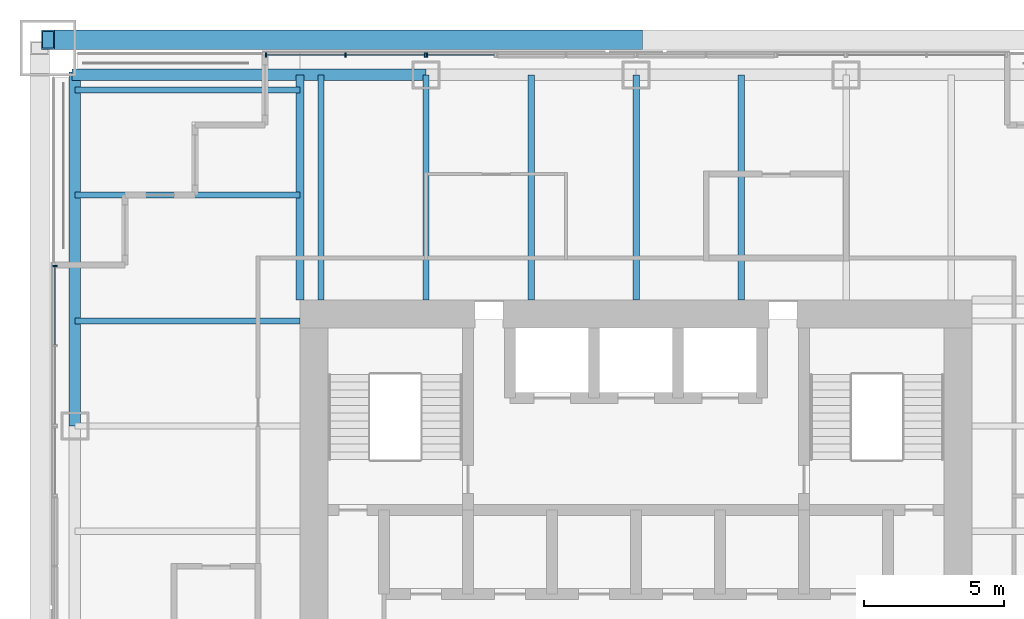
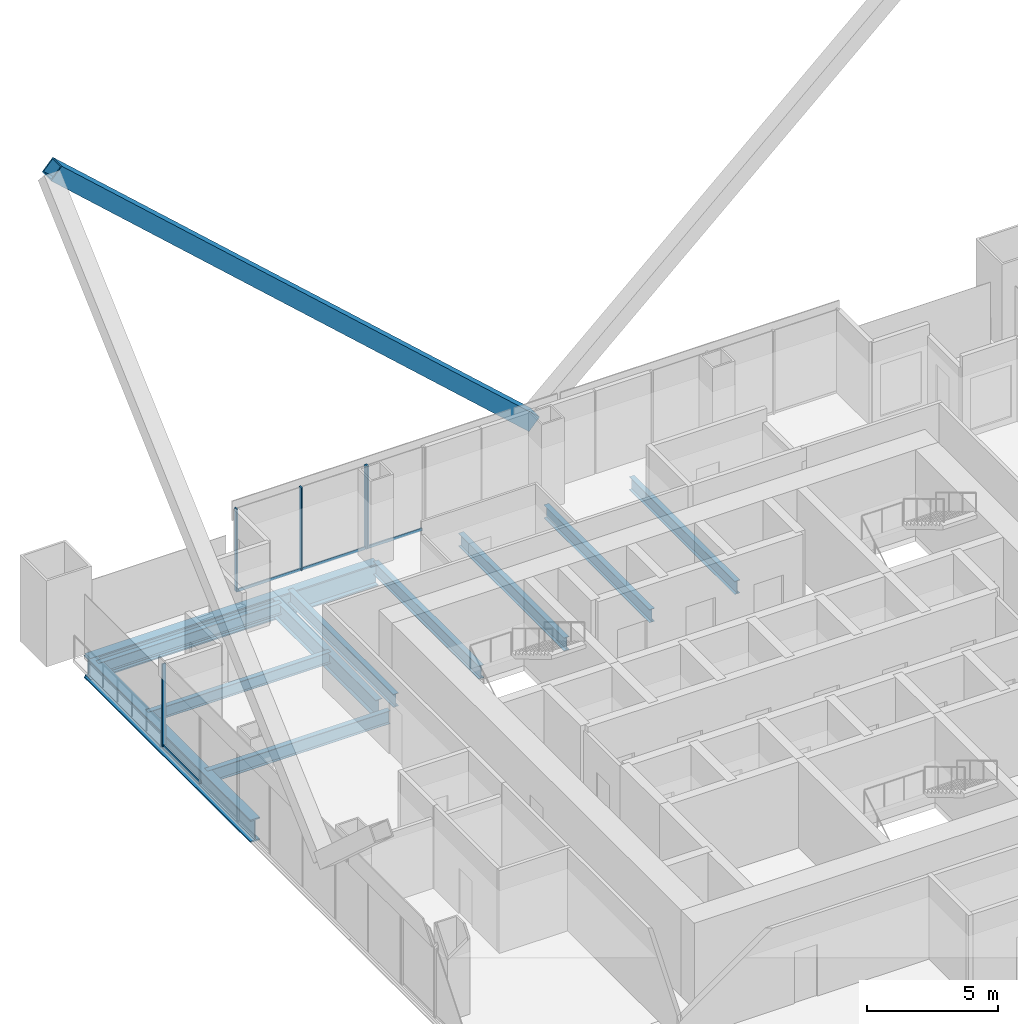
# One storey, part 10 of 19: 11 beams, 10 members, 3 elements without a shape of their own.
"""IFC4 building model written with IfcOpenShell, lengths in metres."""

from ifc_helpers import new_model, si_unit, direction, frame, origin, origin_2d, place, context, subcontext, project, spatial, rectangle, hollow_rectangle, i_section, extrude, material, material_profile, profile_set, type_object, element, aggregate, save


model = new_model("IFC4")

# Units and contexts
model_context = context("Model", 3, precision=1e-05, world=origin(), true_north=direction((0.0, 1.0)))
body_context = subcontext(model_context, "Body", "Model", "MODEL_VIEW")
ifc_project = project(units=[si_unit("LENGTHUNIT", "METRE"), si_unit("AREAUNIT", "SQUARE_METRE"), si_unit("VOLUMEUNIT", "CUBIC_METRE"), si_unit("PLANEANGLEUNIT", "RADIAN"), si_unit("MASSUNIT", "GRAM", prefix="KILO")], contexts=[model_context])

# Site, building, storey
site_placement = place(None, origin())
site = spatial("IfcSite", under=ifc_project, at=site_placement, CompositionType="ELEMENT")
building_placement = place(site_placement, origin())
building = spatial("IfcBuilding", under=site, at=building_placement, Name="Tarangal Relay Tower", CompositionType="ELEMENT")
storey_placement = place(building_placement, frame((0.0, 0.0, 275.89990234375)))
storey = spatial("IfcBuildingStorey", under=building, at=storey_placement, Name="L60", CompositionType="ELEMENT", Elevation=275.89990234375)

# Beams
ifc_material_1 = material(Name="Steel ASTM A992", Category="steel")
ifc_material_profile_1 = material_profile(ifc_material_1, i_section(OverallWidth=0.209228515625, OverallDepth=0.533447265625, WebThickness=0.01025390625, FlangeThickness=0.015625, at=origin_2d()), Name="W21X62")
ifc_profile_set_1 = profile_set([ifc_material_profile_1], Name="Steel ASTM A992")
beam_type_1 = type_object("IfcBeamType", Name="Corner beam W21X62", PredefinedType="JOIST", material=ifc_profile_set_1)
for number, where, z_axis, x_axis, name in (
    (1, (-12.0, 15.75, -0.41650390625), (-1.0, 0.0, 0.0), (0.0, -1.0, 0.0), "Corner beam CB12 W L60"),
    (2, (-12.0, 19.5, -0.41650390625), (-1.0, 0.0, 0.0), (0.0, -1.0, 0.0), "Corner beam CB12 W L60"),
):
    element("IfcBeam", number, at=place(storey_placement, frame(where, z_axis=z_axis, x_axis=x_axis)), inside=storey, type_object=beam_type_1, Name=name, PredefinedType="JOIST", context=body_context, shape_type="SweptSolid", body=[
        extrude(i_section(OverallWidth=0.209228515625, OverallDepth=0.533447265625, WebThickness=0.01025390625, FlangeThickness=0.015625, at=origin_2d()), origin(), (0.0, 0.0, 1.0), 8.0400390625),
    ])
ifc_material_profile_2 = material_profile(ifc_material_1, i_section(OverallWidth=0.2919921875, OverallDepth=0.8408203125, WebThickness=0.0146484375, FlangeThickness=0.021728515625, at=origin_2d()), Name="W33X130")
ifc_profile_set_2 = profile_set([ifc_material_profile_2], Name="Steel ASTM A992")
beam_type_2 = type_object("IfcBeamType", Name="Corner girder W33X130", PredefinedType="BEAM", material=ifc_profile_set_2)
beam_placement = place(storey_placement, frame((-12.0, 12.0, -0.5703125), z_axis=(0.0, 1.0, 0.0), x_axis=(-1.0, 0.0, 0.0)))
element("IfcBeam", 3, at=beam_placement, inside=storey, type_object=beam_type_2, Name="Corner girder CG5 W L60", PredefinedType="BEAM", context=body_context, shape_type="SweptSolid", body=[
    extrude(i_section(OverallWidth=0.2919921875, OverallDepth=0.8408203125, WebThickness=0.0146484375, FlangeThickness=0.021728515625, at=origin_2d()), origin(), (0.0, 0.0, 1.0), 8.0400390625),
])
ifc_material_profile_3 = material_profile(ifc_material_1, i_section(OverallWidth=0.41162109375, OverallDepth=1.049072265625, WebThickness=0.033935546875, FlangeThickness=0.059814453125, at=origin_2d()), Name="W40X431")
ifc_profile_set_3 = profile_set([ifc_material_profile_3], Name="Steel ASTM A992")
beam_type_3 = type_object("IfcBeamType", Name="Edge girder W40X431", PredefinedType="SPANDREL", material=ifc_profile_set_3)
for number, where, z_axis, x_axis, name in (
    (4, (-20.14990234375, 20.0400390625, -0.67431640625), (1.0, 0.0, 0.0), (0.0, 1.0, 0.0), "Edge girder EG1 N L60"),
    (5, (-20.0400390625, 7.5, -0.67431640625), (0.0, 1.0, 0.0), (-1.0, 0.0, 0.0), "Edge girder EG1 W L60"),
):
    element("IfcBeam", number, at=place(storey_placement, frame(where, z_axis=z_axis, x_axis=x_axis)), inside=storey, type_object=beam_type_3, Name=name, PredefinedType="SPANDREL", context=body_context, shape_type="SweptSolid", body=[
        extrude(i_section(OverallWidth=0.41162109375, OverallDepth=1.049072265625, WebThickness=0.033935546875, FlangeThickness=0.059814453125, at=origin_2d()), origin(), (0.0, 0.0, 1.0), 12.64990234375),
    ])
ifc_material_profile_4 = material_profile(ifc_material_1, i_section(OverallWidth=0.228271484375, OverallDepth=0.607177734375, WebThickness=0.01123046875, FlangeThickness=0.017333984375, at=origin_2d()), Name="W24X76")
ifc_profile_set_4 = profile_set([ifc_material_profile_4], Name="Steel ASTM A992")
beam_type_4 = type_object("IfcBeamType", Name="Floor beam W24X76", PredefinedType="BEAM", material=ifc_profile_set_4)
for number, where, z_axis, x_axis, name in (
    (6, (-11.25, 12.0, -0.453369140625), (0.0, 1.0, 0.0), (-1.0, 0.0, 0.0), "Floor beam RB5 N L60"),
    (7, (-7.5, 12.0, -0.453369140625), (0.0, 1.0, 0.0), (-1.0, 0.0, 0.0), "Floor beam RB5 N L60"),
    (8, (-3.75, 12.0, -0.453369140625), (0.0, 1.0, 0.0), (-1.0, 0.0, 0.0), "Floor beam RB5 N L60"),
    (9, (0.0, 12.0, -0.453369140625), (0.0, 1.0, 0.0), (-1.0, 0.0, 0.0), "Floor beam RB5 N L60"),
    (10, (3.75, 12.0, -0.453369140625), (0.0, 1.0, 0.0), (-1.0, 0.0, 0.0), "Floor beam RB5 N L60"),
    (11, (-12.0, 11.25, -0.453369140625), (-1.0, 0.0, 0.0), (0.0, -1.0, 0.0), "Floor beam RB5 W L60"),
):
    element("IfcBeam", number, at=place(storey_placement, frame(where, z_axis=z_axis, x_axis=x_axis)), inside=storey, type_object=beam_type_4, Name=name, PredefinedType="BEAM", context=body_context, shape_type="SweptSolid", body=[
        extrude(i_section(OverallWidth=0.228271484375, OverallDepth=0.607177734375, WebThickness=0.01123046875, FlangeThickness=0.017333984375, at=origin_2d()), origin(), (0.0, 0.0, 1.0), 8.0400390625),
    ])

# Member
ifc_material_2 = material(Name="Steel ASTM A572 Grade 50", Category="steel")
ifc_material_profile_5 = material_profile(ifc_material_2, hollow_rectangle(XDim=0.699951171875, YDim=0.699951171875, WallThickness=0.052001953125, at=origin_2d()), Name="BOX700X700X52")
ifc_profile_set_5 = profile_set([ifc_material_profile_5], Name="Steel ASTM A572 Grade 50")
member_type_1 = type_object("IfcMemberType", Name="Mega brace BOX700X700X52", PredefinedType="BRACE", material=ifc_profile_set_5)
member_1_placement = place(storey_placement, frame((0.0, 21.300048828125, 3.0), z_axis=(-0.741535779124, 0.0, 0.670913323969), x_axis=(0.0, -1.0, 0.0)))
element("IfcMember", 12, at=member_1_placement, inside=storey, type_object=member_type_1, Name="Mega brace MB4 N face module 1", PredefinedType="BRACE", context=body_context, shape_type="SweptSolid", body=[
    extrude(hollow_rectangle(XDim=0.699951171875, YDim=0.699951171875, WallThickness=0.052001953125, at=origin_2d()), origin(), (0.0, 0.0, 1.0), 28.319580078125),
])

# Curtain wall, members
ifc_material_3 = material(Name="Unitised curtain wall, dark glass and black aluminium", Category="aluminium")
curtain_wall_type = type_object("IfcCurtainWallType", Name="Curtain wall CW-B", PredefinedType="USERDEFINED", material=ifc_material_3)
curtain_wall_1_placement = place(storey_placement, origin())
curtain_wall_1 = element("IfcCurtainWall", 13, at=curtain_wall_1_placement, inside=storey, type_object=curtain_wall_type, Name="Curtain wall CW-B N facade L60", ObjectType="UNITISED CURTAIN WALL", PredefinedType="USERDEFINED")
ifc_material_4 = material(Name="Black anodised aluminium mullion", Category="aluminium")
ifc_material_profile_6 = material_profile(ifc_material_4, rectangle(XDim=0.159912109375, YDim=0.06005859375, at=origin_2d()), Name="CW-BM 60X160")
ifc_profile_set_6 = profile_set([ifc_material_profile_6], Name="Black anodised aluminium mullion")
member_type_2 = type_object("IfcMemberType", Name="Mullion CW-B 60 x 160", PredefinedType="MULLION", material=ifc_profile_set_6)
member_2_placement = place(storey_placement, frame((-13.219970703125, 20.75, 0.0), z_axis=(0.0, 0.0, 1.0), x_axis=(0.0, 1.0, 0.0)))
member_2 = element("IfcMember", 14, at=member_2_placement, type_object=member_type_2, Name="CW-B mullion 1", PredefinedType="MULLION", context=body_context, shape_type="SweptSolid", body=[
    extrude(rectangle(XDim=0.159912109375, YDim=0.06005859375, at=origin_2d()), origin(), (0.0, 0.0, 1.0), 3.85009765625),
])
member_3_placement = place(storey_placement, frame((-10.375, 20.75, 0.0), z_axis=(0.0, 0.0, 1.0), x_axis=(0.0, 1.0, 0.0)))
member_3 = element("IfcMember", 15, at=member_3_placement, type_object=member_type_2, Name="CW-B mullion 2", PredefinedType="MULLION", context=body_context, shape_type="SweptSolid", body=[
    extrude(rectangle(XDim=0.159912109375, YDim=0.06005859375, at=origin_2d()), origin(), (0.0, 0.0, 1.0), 3.85009765625),
])
member_4_placement = place(storey_placement, frame((-7.530029296875, 20.75, 0.0), z_axis=(0.0, 0.0, 1.0), x_axis=(0.0, 1.0, 0.0)))
member_4 = element("IfcMember", 16, at=member_4_placement, type_object=member_type_2, Name="CW-B mullion 3", PredefinedType="MULLION", context=body_context, shape_type="SweptSolid", body=[
    extrude(rectangle(XDim=0.159912109375, YDim=0.06005859375, at=origin_2d()), origin(), (0.0, 0.0, 1.0), 3.85009765625),
])

# Curtain wall, member
curtain_wall_2_placement = place(storey_placement, origin())
curtain_wall_2 = element("IfcCurtainWall", 17, at=curtain_wall_2_placement, inside=storey, type_object=curtain_wall_type, Name="Curtain wall CW-B N facade L60", ObjectType="UNITISED CURTAIN WALL", PredefinedType="USERDEFINED")
member_5_placement = place(storey_placement, frame((-7.469970703125, 20.75, 0.0), z_axis=(0.0, 0.0, 1.0), x_axis=(0.0, 1.0, 0.0)))
member_5 = element("IfcMember", 18, at=member_5_placement, type_object=member_type_2, Name="CW-B mullion 1", PredefinedType="MULLION", context=body_context, shape_type="SweptSolid", body=[
    extrude(rectangle(XDim=0.159912109375, YDim=0.06005859375, at=origin_2d()), origin(), (0.0, 0.0, 1.0), 3.85009765625),
])

curtain_wall_3_placement = place(storey_placement, origin())
curtain_wall_3 = element("IfcCurtainWall", 19, at=curtain_wall_3_placement, inside=storey, type_object=curtain_wall_type, Name="Curtain wall CW-B W facade L60", ObjectType="UNITISED CURTAIN WALL", PredefinedType="USERDEFINED")
member_6_placement = place(storey_placement, frame((-20.75, 13.219970703125, 0.0), z_axis=(0.0, 0.0, 1.0), x_axis=(-1.0, 0.0, 0.0)))
member_6 = element("IfcMember", 20, at=member_6_placement, type_object=member_type_2, Name="CW-B mullion 3", PredefinedType="MULLION", context=body_context, shape_type="SweptSolid", body=[
    extrude(rectangle(XDim=0.159912109375, YDim=0.06005859375, at=origin_2d()), origin(), (0.0, 0.0, 1.0), 3.85009765625),
])

# Member
ifc_material_5 = material(Name="Black anodised aluminium transom", Category="aluminium")
ifc_material_profile_7 = material_profile(ifc_material_5, rectangle(XDim=0.06005859375, YDim=0.1298828125, at=origin_2d()), Name="CW-BT 60X130")
ifc_profile_set_7 = profile_set([ifc_material_profile_7], Name="Black anodised aluminium transom")
member_type_3 = type_object("IfcMemberType", Name="Transom CW-B 60 x 130", PredefinedType="USERDEFINED", material=ifc_profile_set_7)
member_7_placement = place(storey_placement, frame((-13.18994140625, 20.75, 0.030029296875), z_axis=(1.0, 0.0, 0.0), x_axis=(0.0, 1.0, 0.0)))
member_7 = element("IfcMember", 21, at=member_7_placement, type_object=member_type_3, Name="CW-B transom 1.1", ObjectType="TRANSOM", PredefinedType="USERDEFINED", context=body_context, shape_type="SweptSolid", body=[
    extrude(rectangle(XDim=0.06005859375, YDim=0.1298828125, at=origin_2d()), origin(), (0.0, 0.0, 1.0), 2.784912109375),
])

member_8_placement = place(storey_placement, frame((-10.344970703125, 20.75, 0.030029296875), z_axis=(1.0, 0.0, 0.0), x_axis=(0.0, 1.0, 0.0)))
member_8 = element("IfcMember", 22, at=member_8_placement, type_object=member_type_3, Name="CW-B transom 2.1", ObjectType="TRANSOM", PredefinedType="USERDEFINED", context=body_context, shape_type="SweptSolid", body=[
    extrude(rectangle(XDim=0.06005859375, YDim=0.1298828125, at=origin_2d()), origin(), (0.0, 0.0, 1.0), 2.784912109375),
])

aggregate(curtain_wall_1, [member_2, member_3, member_4, member_7, member_8])

member_9_placement = place(storey_placement, frame((-7.43994140625, 20.75, 0.030029296875), z_axis=(1.0, 0.0, 0.0), x_axis=(0.0, 1.0, 0.0)))
member_9 = element("IfcMember", 23, at=member_9_placement, type_object=member_type_3, Name="CW-B transom 1.1", ObjectType="TRANSOM", PredefinedType="USERDEFINED", context=body_context, shape_type="SweptSolid", body=[
    extrude(rectangle(XDim=0.06005859375, YDim=0.1298828125, at=origin_2d()), origin(), (0.0, 0.0, 1.0), 2.3798828125),
])

aggregate(curtain_wall_2, [member_5, member_9])

member_10_placement = place(storey_placement, frame((-20.75, 10.405029296875, 0.030029296875), z_axis=(0.0, 1.0, 0.0), x_axis=(-1.0, 0.0, 0.0)))
member_10 = element("IfcMember", 24, at=member_10_placement, type_object=member_type_3, Name="CW-B transom 2.1", ObjectType="TRANSOM", PredefinedType="USERDEFINED", context=body_context, shape_type="SweptSolid", body=[
    extrude(rectangle(XDim=0.06005859375, YDim=0.1298828125, at=origin_2d()), origin(), (0.0, 0.0, 1.0), 2.784912109375),
])

aggregate(curtain_wall_3, [member_6, member_10])

save(model, "model.ifc")
